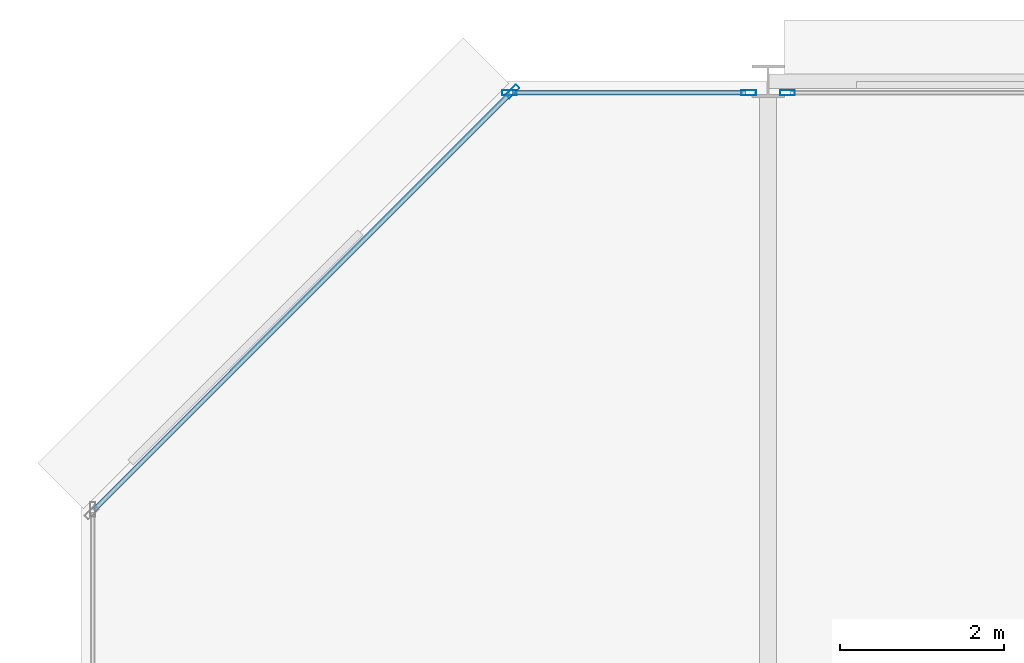
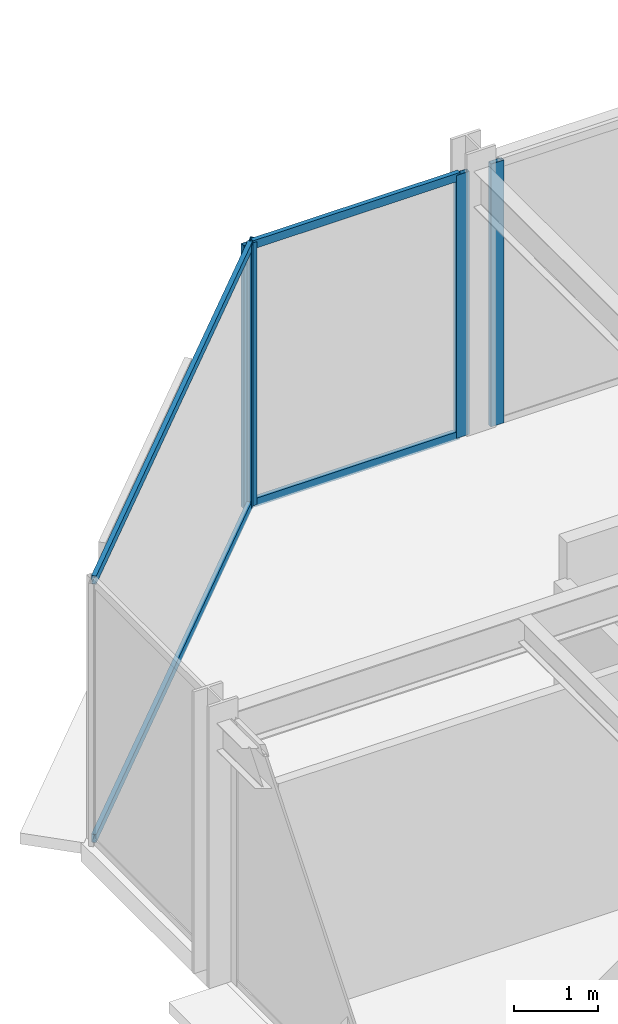
# One storey, part 29 of 39: 8 members, 3 elements without a shape of their own.
"""IFC4 building model written with IfcOpenShell, lengths in metres."""

from ifc_helpers import new_model, si_unit, direction, frame, origin, origin_2d, place, context, subcontext, project, spatial, hollow_rectangle, extrude, material, layer, layer_set, material_profile, profile_set, type_object, element, aggregate, save


model = new_model("IFC4")

# Units and contexts
model_context = context("Model", 3, precision=1e-05, world=origin(), true_north=direction((0.0, 1.0)))
body_context = subcontext(model_context, "Body", "Model", "MODEL_VIEW")
ifc_project = project(units=[si_unit("LENGTHUNIT", "METRE"), si_unit("AREAUNIT", "SQUARE_METRE"), si_unit("VOLUMEUNIT", "CUBIC_METRE"), si_unit("PLANEANGLEUNIT", "RADIAN"), si_unit("MASSUNIT", "GRAM", prefix="KILO")], contexts=[model_context])

# Site, building, storey
site_placement = place(None, origin())
site = spatial("IfcSite", under=ifc_project, at=site_placement, CompositionType="ELEMENT")
building_placement = place(site_placement, origin())
building = spatial("IfcBuilding", under=site, at=building_placement, Name="Nerrivon Quay Data Exchange", CompositionType="ELEMENT")
storey_placement = place(building_placement, frame((0.0, 0.0, 104.89990234375)))
storey = spatial("IfcBuildingStorey", under=building, at=storey_placement, Name="L24", CompositionType="ELEMENT", Elevation=104.89990234375)

# Curtain wall, member
ifc_material = material(Name="Anodised aluminium 6063-T6", Category="aluminium")
ifc_layer = layer(ifc_material, 0.2099609375)
ifc_layer_set = layer_set([ifc_layer], Name="Anodised aluminium 6063-T6")
curtain_wall_type = type_object("IfcCurtainWallType", Name="CW-SYS-02", PredefinedType="NOTDEFINED", material=ifc_layer_set)
curtain_wall_1_placement = place(storey_placement, origin())
curtain_wall_1 = element("IfcCurtainWall", 1, at=curtain_wall_1_placement, inside=storey, type_object=curtain_wall_type, Name="L24 Unitised Curtain Wall 23", PredefinedType="NOTDEFINED")
ifc_material_profile_1 = material_profile(ifc_material, hollow_rectangle(XDim=0.06494140625, YDim=0.179931640625, WallThickness=0.00341796875, at=origin_2d()), Name="ALU-MULL-180x65")
ifc_profile_set_1 = profile_set([ifc_material_profile_1], Name="Anodised aluminium 6063-T6")
member_type_1 = type_object("IfcMemberType", Name="CWM-180x65", PredefinedType="MULLION", material=ifc_profile_set_1)
member_1_placement = place(storey_placement, frame((5.2724609375, 50.2744140625, 0.0), z_axis=(0.0, 0.0, 1.0), x_axis=(-0.707106781187, 0.707106781187, 0.0)))
member_1 = element("IfcMember", 2, at=member_1_placement, type_object=member_type_1, Name="CW02 mullion 2", PredefinedType="MULLION", context=body_context, shape_type="SweptSolid", body=[
    extrude(hollow_rectangle(XDim=0.06494140625, YDim=0.179931640625, WallThickness=0.00341796875, at=origin_2d()), origin(), (0.0, 0.0, 1.0), 3.8251953125),
])

# Curtain wall, members
curtain_wall_2_placement = place(storey_placement, origin())
curtain_wall_2 = element("IfcCurtainWall", 3, at=curtain_wall_2_placement, inside=storey, type_object=curtain_wall_type, Name="L24 Unitised Curtain Wall 24", PredefinedType="NOTDEFINED")
member_2_placement = place(storey_placement, frame((5.237548828125, 50.260009765625, 0.0), z_axis=(0.0, 0.0, 1.0), x_axis=(0.0, 1.0, 0.0)))
member_2 = element("IfcMember", 4, at=member_2_placement, type_object=member_type_1, Name="CW02 mullion 1", PredefinedType="MULLION", context=body_context, shape_type="SweptSolid", body=[
    extrude(hollow_rectangle(XDim=0.06494140625, YDim=0.179931640625, WallThickness=0.00341796875, at=origin_2d()), origin(), (0.0, 0.0, 1.0), 3.8251953125),
])
member_3_placement = place(storey_placement, frame((8.16259765625, 50.260009765625, 0.0), z_axis=(0.0, 0.0, 1.0), x_axis=(0.0, 1.0, 0.0)))
member_3 = element("IfcMember", 5, at=member_3_placement, type_object=member_type_1, Name="CW02 mullion 2", PredefinedType="MULLION", context=body_context, shape_type="SweptSolid", body=[
    extrude(hollow_rectangle(XDim=0.06494140625, YDim=0.179931640625, WallThickness=0.00341796875, at=origin_2d()), origin(), (0.0, 0.0, 1.0), 3.8251953125),
])

# Curtain wall, member
curtain_wall_3_placement = place(storey_placement, origin())
curtain_wall_3 = element("IfcCurtainWall", 6, at=curtain_wall_3_placement, inside=storey, type_object=curtain_wall_type, Name="L24 Unitised Curtain Wall 25", PredefinedType="NOTDEFINED")
member_4_placement = place(storey_placement, frame((8.637451171875, 50.260009765625, 0.0), z_axis=(0.0, 0.0, 1.0), x_axis=(0.0, 1.0, 0.0)))
member_4 = element("IfcMember", 7, at=member_4_placement, type_object=member_type_1, Name="CW02 mullion 1", PredefinedType="MULLION", context=body_context, shape_type="SweptSolid", body=[
    extrude(hollow_rectangle(XDim=0.06494140625, YDim=0.179931640625, WallThickness=0.00341796875, at=origin_2d()), origin(), (0.0, 0.0, 1.0), 3.8251953125),
])
aggregate(curtain_wall_3, [member_4])

# Member
ifc_material_profile_2 = material_profile(ifc_material, hollow_rectangle(XDim=0.06005859375, YDim=0.1201171875, WallThickness=0.003173828125, at=origin_2d()), Name="ALU-TRAN-120x60")
ifc_profile_set_2 = profile_set([ifc_material_profile_2], Name="Anodised aluminium 6063-T6")
member_type_2 = type_object("IfcMemberType", Name="CWT-120x60", PredefinedType="USERDEFINED", material=ifc_profile_set_2)
member_5_placement = place(storey_placement, frame((0.152099609375, 45.154052734375, 0.03271484375), z_axis=(0.707089835771, 0.707123726196, 0.0), x_axis=(-0.707123726196, 0.707089835771, 0.0)))
member_5 = element("IfcMember", 8, at=member_5_placement, type_object=member_type_2, Name="CW02 transom 1.1", ObjectType="TRANSOM", PredefinedType="USERDEFINED", context=body_context, shape_type="SweptSolid", body=[
    extrude(hollow_rectangle(XDim=0.06005859375, YDim=0.1201171875, WallThickness=0.003173828125, at=origin_2d()), origin(), (0.0, 0.0, 1.0), 7.203857421875),
])

member_6_placement = place(storey_placement, frame((0.152099609375, 45.154052734375, 3.79248046875), z_axis=(0.707089835771, 0.707123726196, 0.0), x_axis=(-0.707123726196, 0.707089835771, 0.0)))
member_6 = element("IfcMember", 9, at=member_6_placement, type_object=member_type_2, Name="CW02 transom 1.2", ObjectType="TRANSOM", PredefinedType="USERDEFINED", context=body_context, shape_type="SweptSolid", body=[
    extrude(hollow_rectangle(XDim=0.06005859375, YDim=0.1201171875, WallThickness=0.003173828125, at=origin_2d()), origin(), (0.0, 0.0, 1.0), 7.203857421875),
])

aggregate(curtain_wall_1, [member_1, member_5, member_6])

member_7_placement = place(storey_placement, frame((5.27490234375, 50.260009765625, 0.03271484375), z_axis=(1.0, 0.0, 0.0), x_axis=(0.0, 1.0, 0.0)))
member_7 = element("IfcMember", 10, at=member_7_placement, type_object=member_type_2, Name="CW02 transom 1.1", ObjectType="TRANSOM", PredefinedType="USERDEFINED", context=body_context, shape_type="SweptSolid", body=[
    extrude(hollow_rectangle(XDim=0.06005859375, YDim=0.1201171875, WallThickness=0.003173828125, at=origin_2d()), origin(), (0.0, 0.0, 1.0), 2.85009765625),
])

member_8_placement = place(storey_placement, frame((5.27490234375, 50.260009765625, 3.79248046875), z_axis=(1.0, 0.0, 0.0), x_axis=(0.0, 1.0, 0.0)))
member_8 = element("IfcMember", 11, at=member_8_placement, type_object=member_type_2, Name="CW02 transom 1.2", ObjectType="TRANSOM", PredefinedType="USERDEFINED", context=body_context, shape_type="SweptSolid", body=[
    extrude(hollow_rectangle(XDim=0.06005859375, YDim=0.1201171875, WallThickness=0.003173828125, at=origin_2d()), origin(), (0.0, 0.0, 1.0), 2.85009765625),
])

aggregate(curtain_wall_2, [member_2, member_3, member_7, member_8])

save(model, "model.ifc")
